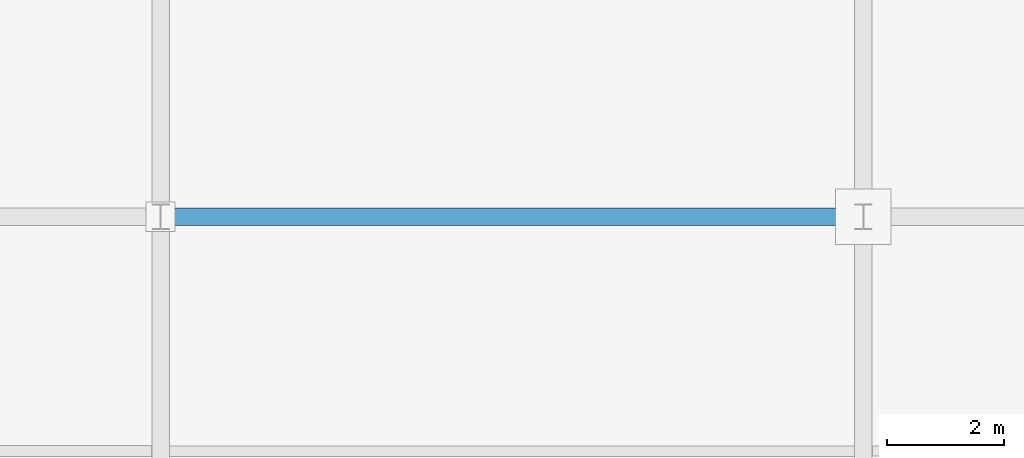
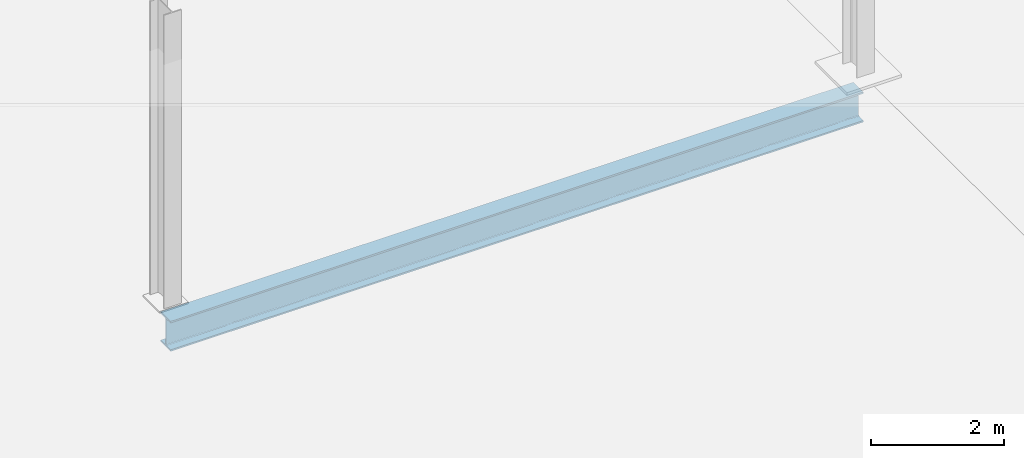
# One storey, part 68 of 196: 1 beam.
"""IFC4 building model written with IfcOpenShell, lengths in metres."""

from ifc_helpers import new_model, si_unit, direction, frame, origin, origin_2d, place, context, subcontext, project, spatial, i_section, extrude, material, material_profile, profile_set, type_object, element, save


model = new_model("IFC4")

# Units and contexts
model_context = context("Model", 3, precision=1e-05, world=origin(), true_north=direction((0.0, 1.0)))
body_context = subcontext(model_context, "Body", "Model", "MODEL_VIEW")
ifc_project = project(units=[si_unit("LENGTHUNIT", "METRE"), si_unit("AREAUNIT", "SQUARE_METRE"), si_unit("VOLUMEUNIT", "CUBIC_METRE"), si_unit("PLANEANGLEUNIT", "RADIAN"), si_unit("MASSUNIT", "GRAM", prefix="KILO")], contexts=[model_context])

# Site, building, storey
site_placement = place(None, origin())
site = spatial("IfcSite", under=ifc_project, at=site_placement, CompositionType="ELEMENT")
building_placement = place(site_placement, origin())
building = spatial("IfcBuilding", under=site, at=building_placement, Name="Merenkruunu Market Hall", CompositionType="ELEMENT")
storey_placement = place(building_placement, origin())
storey = spatial("IfcBuildingStorey", under=building, at=storey_placement, Name="L00", CompositionType="ELEMENT", Elevation=0.0)

# Beam
ifc_material = material(Name="Steel S355J2", Category="steel")
ifc_material_profile = material_profile(ifc_material, i_section(OverallWidth=0.300048828125, OverallDepth=0.550048828125, WebThickness=0.014892578125, FlangeThickness=0.029052734375, FilletRadius=0.027099609375, at=origin_2d()), Name="HEB 550")
ifc_profile_set = profile_set([ifc_material_profile], Name="Steel S355J2")
beam_type = type_object("IfcBeamType", Name="Primary Floor Girder B02", PredefinedType="BEAM", material=ifc_profile_set)
beam_placement = place(storey_placement, frame((100.800048828125, 27.60009765625, -0.574951171875), z_axis=(1.0, 0.0, 0.0), x_axis=(0.0, 1.0, 0.0)))
element("IfcBeam", 1, at=beam_placement, inside=storey, type_object=beam_type, Name="BM-L00-B02-0037", PredefinedType="BEAM", context=body_context, shape_type="SweptSolid", body=[
    extrude(i_section(OverallWidth=0.300048828125, OverallDepth=0.550048828125, WebThickness=0.014892578125, FlangeThickness=0.029052734375, FilletRadius=0.027099609375, at=origin_2d()), origin(), (0.0, 0.0, 1.0), 12.0),
])

save(model, "model.ifc")
